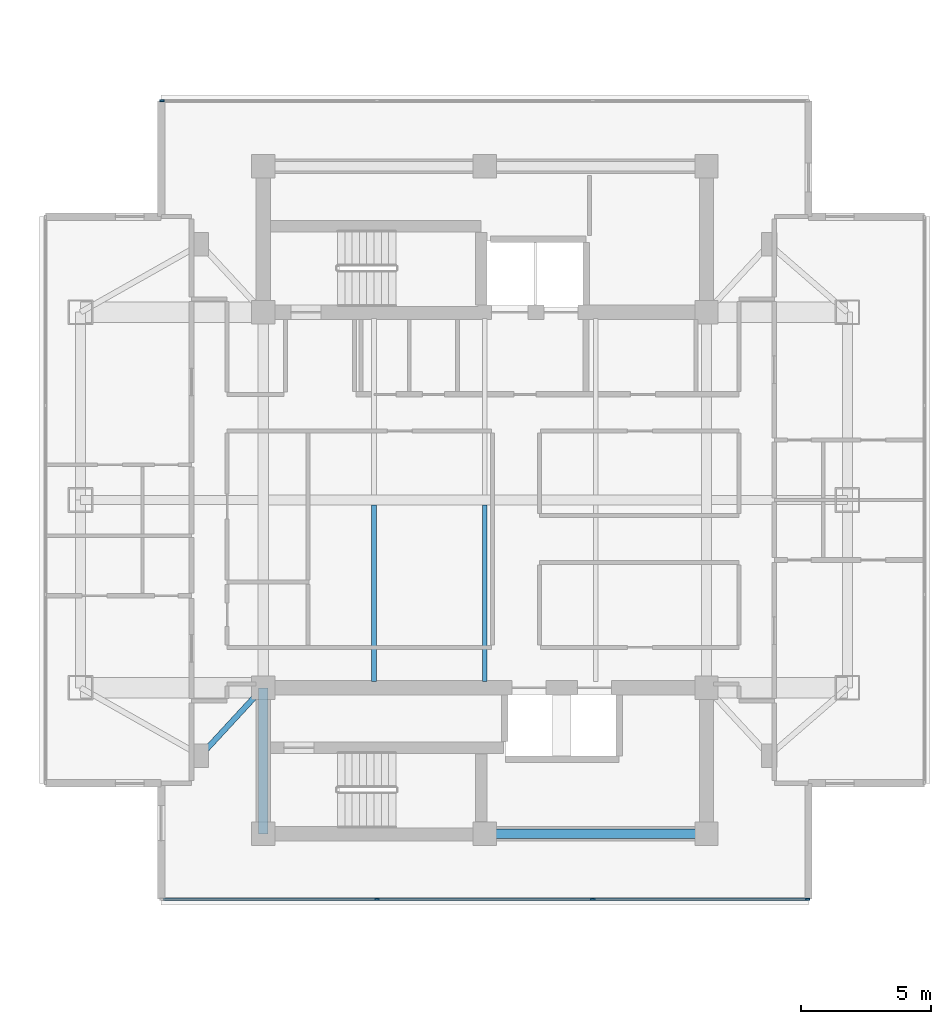
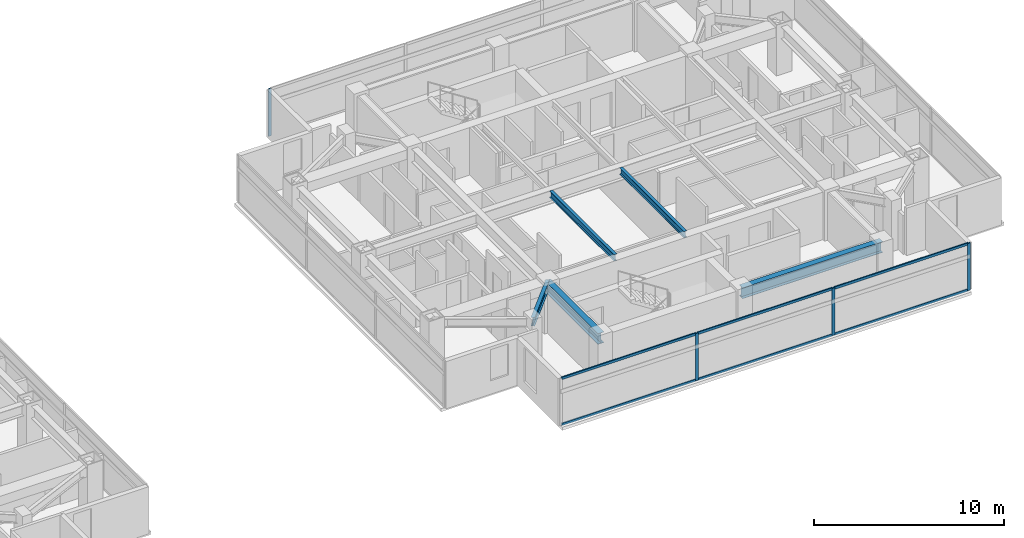
# One storey, part 9 of 24: 10 members, 5 beams, 2 elements without a shape of their own.
"""IFC4 building model written with IfcOpenShell, lengths in metres."""

from ifc_helpers import new_model, si_unit, direction, frame, origin, origin_2d, place, context, subcontext, project, spatial, rectangle, i_section, extrude, material, material_profile, profile_set, type_object, element, aggregate, save


model = new_model("IFC4")

# Units and contexts
model_context = context("Model", 3, precision=1e-05, world=origin(), true_north=direction((0.0, 1.0)))
body_context = subcontext(model_context, "Body", "Model", "MODEL_VIEW")
ifc_project = project(units=[si_unit("LENGTHUNIT", "METRE"), si_unit("AREAUNIT", "SQUARE_METRE"), si_unit("VOLUMEUNIT", "CUBIC_METRE"), si_unit("PLANEANGLEUNIT", "RADIAN"), si_unit("MASSUNIT", "GRAM", prefix="KILO")], contexts=[model_context])

# Site, building, storey
site_placement = place(None, origin())
site = spatial("IfcSite", under=ifc_project, at=site_placement, CompositionType="ELEMENT")
building_placement = place(site_placement, origin())
building = spatial("IfcBuilding", under=site, at=building_placement, Name="Mirazonda Arch Towers", CompositionType="ELEMENT")
storey_placement = place(building_placement, frame((0.0, 0.0, 190.14990234375)))
storey = spatial("IfcBuildingStorey", under=building, at=storey_placement, Name="L54", CompositionType="ELEMENT", Elevation=190.14990234375)

# Beams
ifc_material_1 = material(Name="Steel ASTM A992 Grade 50", Category="steel")
ifc_material_profile_1 = material_profile(ifc_material_1, i_section(OverallWidth=0.180908203125, OverallDepth=0.4169921875, WebThickness=0.010986328125, FlangeThickness=0.018310546875, at=origin_2d()), Name="W16X57")
ifc_profile_set_1 = profile_set([ifc_material_profile_1], Name="Steel ASTM A992 Grade 50")
beam_type_1 = type_object("IfcBeamType", Name="BM-INT-W16X57", PredefinedType="JOIST", material=ifc_profile_set_1)
for number, where, z_axis, x_axis, name in (
    (1, (72.25, 21.0400390625, 2.841552734375), (0.0, 1.0, 0.0), (-1.0, 0.0, 0.0), "L54 Floor Beam BM-T2-L54-J-722-20"),
    (2, (76.5, 21.0400390625, 2.841552734375), (0.0, 1.0, 0.0), (-1.0, 0.0, 0.0), "L54 Floor Beam BM-T2-L54-J-765-20"),
):
    element("IfcBeam", number, at=place(storey_placement, frame(where, z_axis=z_axis, x_axis=x_axis)), inside=storey, type_object=beam_type_1, Name=name, PredefinedType="JOIST", context=body_context, shape_type="SweptSolid", body=[
        extrude(i_section(OverallWidth=0.180908203125, OverallDepth=0.4169921875, WebThickness=0.010986328125, FlangeThickness=0.018310546875, at=origin_2d()), origin(), (0.0, 0.0, 1.0), 6.763916015625),
    ])
ifc_material_profile_2 = material_profile(ifc_material_1, i_section(OverallWidth=0.214111328125, OverallDepth=0.549072265625, WebThickness=0.0146484375, FlangeThickness=0.023681640625, at=origin_2d()), Name="W21X93")
ifc_profile_set_2 = profile_set([ifc_material_profile_2], Name="Steel ASTM A992 Grade 50")
beam_type_2 = type_object("IfcBeamType", Name="BM-INT-W21X93", PredefinedType="BEAM", material=ifc_profile_set_2)
beam_1_placement = place(storey_placement, frame((65.60009765625, 18.199951171875, 2.775634765625), z_axis=(0.678251444854, 0.734829897019, 0.0), x_axis=(-0.734829897019, 0.678251444854, 0.0)))
element("IfcBeam", 3, at=beam_1_placement, inside=storey, type_object=beam_type_2, Name="L54 Floor Beam BM-T2-L54-PL-SW1", PredefinedType="BEAM", context=body_context, shape_type="SweptSolid", body=[
    extrude(i_section(OverallWidth=0.214111328125, OverallDepth=0.549072265625, WebThickness=0.0146484375, FlangeThickness=0.023681640625, at=origin_2d()), origin(), (0.0, 0.0, 1.0), 3.538330078125),
])
ifc_material_profile_3 = material_profile(ifc_material_1, i_section(OverallWidth=0.35498046875, OverallDepth=0.696044921875, WebThickness=0.015380859375, FlangeThickness=0.02490234375, at=origin_2d()), Name="W27X146")
ifc_profile_set_3 = profile_set([ifc_material_profile_3], Name="Steel ASTM A992 Grade 50")
beam_type_3 = type_object("IfcBeamType", Name="BM-INT-W27X146", PredefinedType="BEAM", material=ifc_profile_set_3)
beam_2_placement = place(storey_placement, frame((76.5, 15.199951171875, 2.7021484375), z_axis=(1.0, 0.0, 0.0), x_axis=(0.0, 1.0, 0.0)))
element("IfcBeam", 4, at=beam_2_placement, inside=storey, type_object=beam_type_3, Name="L54 Floor Beam BM-T2-L54-CS2", PredefinedType="BEAM", context=body_context, shape_type="SweptSolid", body=[
    extrude(i_section(OverallWidth=0.35498046875, OverallDepth=0.696044921875, WebThickness=0.015380859375, FlangeThickness=0.02490234375, at=origin_2d()), origin(), (0.0, 0.0, 1.0), 8.5),
])
beam_3_placement = place(storey_placement, frame((68.0, 15.199951171875, 2.7021484375), z_axis=(0.0, 1.0, 0.0), x_axis=(-1.0, 0.0, 0.0)))
element("IfcBeam", 5, at=beam_3_placement, inside=storey, type_object=beam_type_3, Name="L54 Floor Beam BM-T2-L54-CSW", PredefinedType="BEAM", context=body_context, shape_type="SweptSolid", body=[
    extrude(i_section(OverallWidth=0.35498046875, OverallDepth=0.696044921875, WebThickness=0.015380859375, FlangeThickness=0.02490234375, at=origin_2d()), origin(), (0.0, 0.0, 1.0), 5.60009765625),
])

# Curtain wall, members
ifc_material_2 = material(Name="Anodised Aluminium and Low-E Glass", Category="aluminium")
curtain_wall_type = type_object("IfcCurtainWallType", Name="CW-RES-UNIT", PredefinedType="NOTDEFINED", material=ifc_material_2)
curtain_wall_1_placement = place(storey_placement, origin())
curtain_wall_1 = element("IfcCurtainWall", 6, at=curtain_wall_1_placement, inside=storey, type_object=curtain_wall_type, Name="L54 T2 S Facade CW-L54-T2-S", PredefinedType="NOTDEFINED")
ifc_material_3 = material(Name="Anodised Aluminium Alloy", Category="aluminium")
ifc_material_profile_4 = material_profile(ifc_material_3, rectangle(XDim=0.074951171875, YDim=0.175048828125, at=origin_2d()), Name="ALU-MULL-75x175")
ifc_profile_set_4 = profile_set([ifc_material_profile_4], Name="Anodised Aluminium Alloy")
member_type_1 = type_object("IfcMemberType", Name="MULL-CW-RES-UNIT", PredefinedType="MULLION", material=ifc_profile_set_4)
member_1_placement = place(storey_placement, frame((88.876220703125, 12.69482421875, 0.0), z_axis=(0.0, 0.0, 1.0), x_axis=(0.0, -1.0, 0.0)))
member_1 = element("IfcMember", 7, at=member_1_placement, type_object=member_type_1, Name="CW-104 mullion 1", PredefinedType="MULLION", context=body_context, shape_type="SweptSolid", body=[
    extrude(rectangle(XDim=0.074951171875, YDim=0.175048828125, at=origin_2d()), origin(), (0.0, 0.0, 1.0), 3.030029296875),
])
member_2_placement = place(storey_placement, frame((80.637939453125, 12.69482421875, 0.0), z_axis=(0.0, 0.0, 1.0), x_axis=(0.0, -1.0, 0.0)))
member_2 = element("IfcMember", 8, at=member_2_placement, type_object=member_type_1, Name="CW-104 mullion 2", PredefinedType="MULLION", context=body_context, shape_type="SweptSolid", body=[
    extrude(rectangle(XDim=0.074951171875, YDim=0.175048828125, at=origin_2d()), origin(), (0.0, 0.0, 1.0), 3.030029296875),
])
member_3_placement = place(storey_placement, frame((72.362060546875, 12.69482421875, 0.0), z_axis=(0.0, 0.0, 1.0), x_axis=(0.0, -1.0, 0.0)))
member_3 = element("IfcMember", 9, at=member_3_placement, type_object=member_type_1, Name="CW-104 mullion 3", PredefinedType="MULLION", context=body_context, shape_type="SweptSolid", body=[
    extrude(rectangle(XDim=0.074951171875, YDim=0.175048828125, at=origin_2d()), origin(), (0.0, 0.0, 1.0), 3.030029296875),
])

# Curtain wall, member
curtain_wall_2_placement = place(storey_placement, origin())
curtain_wall_2 = element("IfcCurtainWall", 10, at=curtain_wall_2_placement, inside=storey, type_object=curtain_wall_type, Name="L54 T2 N Facade CW-L54-T2-N", PredefinedType="NOTDEFINED")
member_4_placement = place(storey_placement, frame((64.123779296875, 43.30517578125, 0.0), z_axis=(0.0, 0.0, 1.0), x_axis=(0.0, 1.0, 0.0)))
member_4 = element("IfcMember", 11, at=member_4_placement, type_object=member_type_1, Name="CW-104 mullion 1", PredefinedType="MULLION", context=body_context, shape_type="SweptSolid", body=[
    extrude(rectangle(XDim=0.074951171875, YDim=0.175048828125, at=origin_2d()), origin(), (0.0, 0.0, 1.0), 3.030029296875),
])
aggregate(curtain_wall_2, [member_4])

# Member
ifc_material_profile_5 = material_profile(ifc_material_3, rectangle(XDim=0.074951171875, YDim=0.155029296875, at=origin_2d()), Name="ALU-TRAN-75x155")
ifc_profile_set_5 = profile_set([ifc_material_profile_5], Name="Anodised Aluminium Alloy")
member_type_2 = type_object("IfcMemberType", Name="TRAN-CW-RES-UNIT", PredefinedType="USERDEFINED", material=ifc_profile_set_5)
member_5_placement = place(storey_placement, frame((88.8388671875, 12.69482421875, 0.03759765625), z_axis=(-1.0, 0.0, 0.0), x_axis=(0.0, -1.0, 0.0)))
member_5 = element("IfcMember", 12, at=member_5_placement, type_object=member_type_2, Name="CW-104 transom 1.1", ObjectType="TRANSOM", PredefinedType="USERDEFINED", context=body_context, shape_type="SweptSolid", body=[
    extrude(rectangle(XDim=0.074951171875, YDim=0.155029296875, at=origin_2d()), origin(), (0.0, 0.0, 1.0), 8.163330078125),
])

member_6_placement = place(storey_placement, frame((88.8388671875, 12.69482421875, 2.99267578125), z_axis=(-1.0, 0.0, 0.0), x_axis=(0.0, -1.0, 0.0)))
member_6 = element("IfcMember", 13, at=member_6_placement, type_object=member_type_2, Name="CW-104 transom 1.2", ObjectType="TRANSOM", PredefinedType="USERDEFINED", context=body_context, shape_type="SweptSolid", body=[
    extrude(rectangle(XDim=0.074951171875, YDim=0.155029296875, at=origin_2d()), origin(), (0.0, 0.0, 1.0), 8.163330078125),
])

member_7_placement = place(storey_placement, frame((80.600341796875, 12.69482421875, 0.03759765625), z_axis=(-1.0, 0.0, 0.0), x_axis=(0.0, -1.0, 0.0)))
member_7 = element("IfcMember", 14, at=member_7_placement, type_object=member_type_2, Name="CW-104 transom 2.1", ObjectType="TRANSOM", PredefinedType="USERDEFINED", context=body_context, shape_type="SweptSolid", body=[
    extrude(rectangle(XDim=0.074951171875, YDim=0.155029296875, at=origin_2d()), origin(), (0.0, 0.0, 1.0), 8.20068359375),
])

member_8_placement = place(storey_placement, frame((80.600341796875, 12.69482421875, 2.99267578125), z_axis=(-1.0, 0.0, 0.0), x_axis=(0.0, -1.0, 0.0)))
member_8 = element("IfcMember", 15, at=member_8_placement, type_object=member_type_2, Name="CW-104 transom 2.2", ObjectType="TRANSOM", PredefinedType="USERDEFINED", context=body_context, shape_type="SweptSolid", body=[
    extrude(rectangle(XDim=0.074951171875, YDim=0.155029296875, at=origin_2d()), origin(), (0.0, 0.0, 1.0), 8.20068359375),
])

member_9_placement = place(storey_placement, frame((72.324462890625, 12.69482421875, 0.03759765625), z_axis=(-1.0, 0.0, 0.0), x_axis=(0.0, -1.0, 0.0)))
member_9 = element("IfcMember", 16, at=member_9_placement, type_object=member_type_2, Name="CW-104 transom 3.1", ObjectType="TRANSOM", PredefinedType="USERDEFINED", context=body_context, shape_type="SweptSolid", body=[
    extrude(rectangle(XDim=0.074951171875, YDim=0.155029296875, at=origin_2d()), origin(), (0.0, 0.0, 1.0), 8.163330078125),
])

member_10_placement = place(storey_placement, frame((72.324462890625, 12.69482421875, 2.99267578125), z_axis=(-1.0, 0.0, 0.0), x_axis=(0.0, -1.0, 0.0)))
member_10 = element("IfcMember", 17, at=member_10_placement, type_object=member_type_2, Name="CW-104 transom 3.2", ObjectType="TRANSOM", PredefinedType="USERDEFINED", context=body_context, shape_type="SweptSolid", body=[
    extrude(rectangle(XDim=0.074951171875, YDim=0.155029296875, at=origin_2d()), origin(), (0.0, 0.0, 1.0), 8.163330078125),
])

aggregate(curtain_wall_1, [member_1, member_2, member_3, member_5, member_6, member_7, member_8, member_9, member_10])

save(model, "model.ifc")
